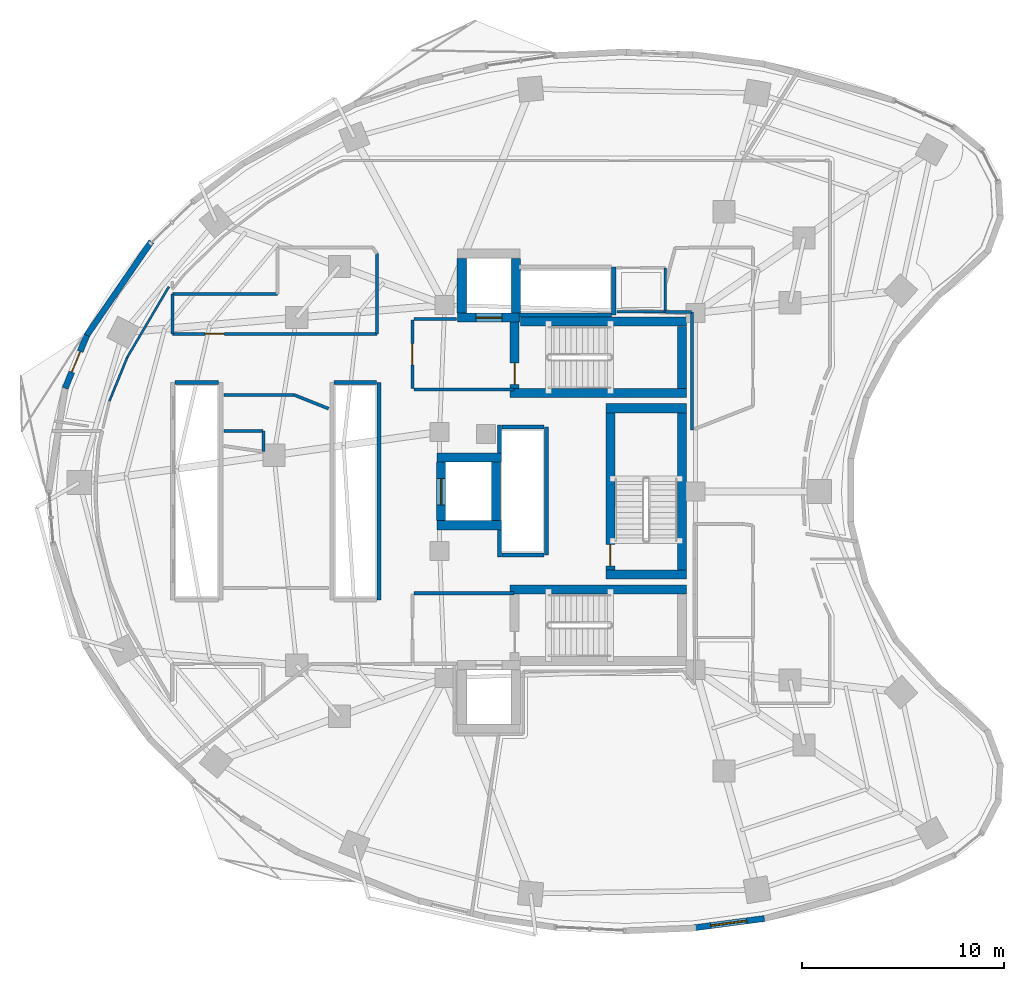
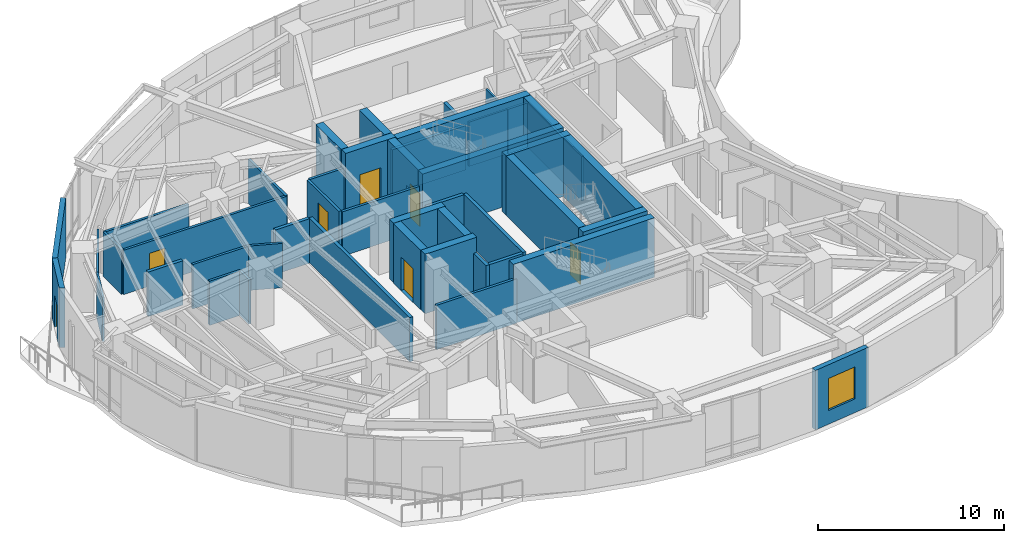
# One storey, part 9 of 14: 47 walls, 7 doors, 1 window, 8 openings.
"""IFC4 building model written with IfcOpenShell, lengths in metres."""

from ifc_helpers import new_model, si_unit, direction, frame, frame_2d, origin, place, context, subcontext, project, spatial, rectangle, extrude, material, layer, layer_set, type_object, element, fill, save


model = new_model("IFC4")

# Units and contexts
model_context = context("Model", 3, precision=1e-05, world=origin(), true_north=direction((0.0, 1.0)))
body_context = subcontext(model_context, "Body", "Model", "MODEL_VIEW")
ifc_project = project(units=[si_unit("LENGTHUNIT", "METRE"), si_unit("AREAUNIT", "SQUARE_METRE"), si_unit("VOLUMEUNIT", "CUBIC_METRE"), si_unit("PLANEANGLEUNIT", "RADIAN"), si_unit("MASSUNIT", "GRAM", prefix="KILO")], contexts=[model_context])

# Site, building, storey
site_placement = place(None, origin())
site = spatial("IfcSite", under=ifc_project, at=site_placement, CompositionType="ELEMENT")
building_placement = place(site_placement, origin())
building = spatial("IfcBuilding", under=site, at=building_placement, Name="Korentha Bioscience Tower", CompositionType="ELEMENT")
storey_placement = place(building_placement, frame((0.0, 0.0, 119.39990234375)))
storey = spatial("IfcBuildingStorey", under=building, at=storey_placement, Name="L27", CompositionType="ELEMENT", Elevation=119.39990234375)

# Wall, opening, door
ifc_material_1 = material(Name="Double-Stud Acoustic Gypsum", Category="gypsum")
ifc_layer_1 = layer(ifc_material_1, 0.14990234375, Name="Double-Stud Acoustic Gypsum")
ifc_layer_set_1 = layer_set([ifc_layer_1], Name="Double-Stud Acoustic Gypsum (IW-L150)")
wall_type_1 = type_object("IfcWallType", Name="Acoustic Laboratory Partition Wall 150", PredefinedType="PARTITIONING", material=ifc_layer_set_1)
wall_1_placement = place(storey_placement, frame((21.739990234375, 34.81005859375, 0.0), z_axis=(0.0, 0.0, 1.0), x_axis=(-1.0, 0.0, 0.0)))
wall_1 = element("IfcWall", 1, at=wall_1_placement, inside=storey, type_object=wall_type_1, Name="L27 Clinical Advisory Boardroom 09 Entrance Wall", PredefinedType="PARTITIONING", context=body_context, shape_type="SweptSolid", body=[
    extrude(rectangle(XDim=10.14990234375, YDim=0.14990234375, at=frame_2d((5.074951171875, 0.0))), origin(), (0.0, 0.0, 1.0), 2.91015625),
])
opening_1_placement = place(wall_1_placement, frame((7.568115234375, 0.0, 0.0)))
opening_1 = element("IfcOpeningElement", 2, at=opening_1_placement, cuts=wall_1, Name="Opening ID-10L", PredefinedType="OPENING", context=body_context, shape_type="SweptSolid", body=[
    extrude(rectangle(XDim=0.949951171875, YDim=2.14990234375, at=frame_2d((0.47509765625, 1.074951171875))), frame((0.0, 0.08984375, 0.0), z_axis=(0.0, -1.0, 0.0), x_axis=(1.0, 0.0, 0.0)), (0.0, 0.0, 1.0), 0.1796875),
])
ifc_material_2 = material(Name="Phenolic Laminate Timber Core", Category="wood")
door_type_1 = type_object("IfcDoorType", Name="Laboratory Single Leaf Door 950x2150 Left", OperationType="SINGLE_SWING_LEFT", PredefinedType="DOOR", material=ifc_material_2)
door_1_placement = place(opening_1_placement, origin())
door_1 = element("IfcDoor", 3, at=door_1_placement, inside=storey, type_object=door_type_1, Name="L27 Clinical Advisory Boardroom 09 Door", OperationType="SINGLE_SWING_LEFT", OverallHeight=2.14990234375, OverallWidth=0.949951171875, PredefinedType="DOOR", context=body_context, shape_type="SweptSolid", body=[
    extrude(rectangle(XDim=0.949951171875, YDim=2.14990234375, at=frame_2d((0.47509765625, 1.074951171875))), frame((0.0, 0.02490234375, 0.0), z_axis=(0.0, -1.0, 0.0), x_axis=(1.0, 0.0, 0.0)), (0.0, 0.0, 1.0), 0.050048828125),
])
fill(opening_1, door_1)

# Walls
wall_2_placement = place(storey_placement, frame((16.10205078125, 28.972900390625, 0.0), z_axis=(0.0, 0.0, 1.0), x_axis=(0.0, 1.0, 0.0)))
element("IfcWall", 4, at=wall_2_placement, inside=storey, type_object=wall_type_1, Name="L27 Interior Partition 014", PredefinedType="PARTITIONING", context=body_context, shape_type="SweptSolid", body=[
    extrude(rectangle(XDim=1.02490234375, YDim=0.14990234375, at=frame_2d((0.512451171875, 0.0))), origin(), (0.0, 0.0, 1.0), 2.91015625),
])
wall_3_placement = place(storey_placement, frame((16.097900390625, 30.001953125, 0.0), z_axis=(0.0, 0.0, 1.0), x_axis=(-1.0, 0.0, 0.0)))
element("IfcWall", 5, at=wall_3_placement, inside=storey, type_object=wall_type_1, Name="L27 Interior Partition 015", PredefinedType="PARTITIONING", context=body_context, shape_type="SweptSolid", body=[
    extrude(rectangle(XDim=1.937744140625, YDim=0.14990234375, at=frame_2d((0.96875, 0.0))), origin(), (0.0, 0.0, 1.0), 2.91015625),
])
wall_4_placement = place(storey_placement, frame((14.159912109375, 31.7900390625, 0.0), z_axis=(0.0, 0.0, 1.0), x_axis=(1.0, 0.0, 0.0)))
element("IfcWall", 6, at=wall_4_placement, inside=storey, type_object=wall_type_1, Name="L27 Interior Partition 016", PredefinedType="PARTITIONING", context=body_context, shape_type="SweptSolid", body=[
    extrude(rectangle(XDim=3.466552734375, YDim=0.14990234375, at=frame_2d((1.7333984375, 0.0))), origin(), (0.0, 0.0, 1.0), 2.91015625),
])
wall_5_placement = place(storey_placement, frame((17.62646484375, 31.7900390625, 0.0), z_axis=(0.0, 0.0, 1.0), x_axis=(0.928485814786, -0.371367865789, 0.0)))
element("IfcWall", 7, at=wall_5_placement, inside=storey, type_object=wall_type_1, Name="L27 Interior Partition 017", PredefinedType="PARTITIONING", context=body_context, shape_type="SweptSolid", body=[
    extrude(rectangle(XDim=1.845458984375, YDim=0.14990234375, at=frame_2d((0.9228515625, 0.0))), origin(), (0.0, 0.0, 1.0), 2.91015625),
])
wall_6_placement = place(storey_placement, frame((37.360107421875, 30.040283203125, 0.0), z_axis=(0.0, 0.0, 1.0), x_axis=(0.0, 1.0, 0.0)))
element("IfcWall", 8, at=wall_6_placement, inside=storey, type_object=wall_type_1, Name="L27 Interior Partition 062", PredefinedType="PARTITIONING", context=body_context, shape_type="SweptSolid", body=[
    extrude(rectangle(XDim=5.859619140625, YDim=0.14990234375, at=frame_2d((2.9296875, 0.0))), origin(), (0.0, 0.0, 1.0), 2.91015625),
])
wall_7_placement = place(storey_placement, frame((37.35009765625, 35.909912109375, 0.0), z_axis=(0.0, 0.0, 1.0), x_axis=(-1.0, 0.0, 0.0)))
element("IfcWall", 9, at=wall_7_placement, inside=storey, type_object=wall_type_1, Name="L27 Interior Partition 063", PredefinedType="PARTITIONING", context=body_context, shape_type="SweptSolid", body=[
    extrude(rectangle(XDim=1.2900390625, YDim=0.14990234375, at=frame_2d((0.64501953125, 0.0))), origin(), (0.0, 0.0, 1.0), 2.91015625),
])
wall_8_placement = place(storey_placement, frame((21.739990234375, 38.79345703125, 0.0), z_axis=(0.0, 0.0, 1.0), x_axis=(0.0, -1.0, 0.0)))
element("IfcWall", 10, at=wall_8_placement, inside=storey, type_object=wall_type_1, Name="L27 Interior Partition 075", PredefinedType="PARTITIONING", context=body_context, shape_type="SweptSolid", body=[
    extrude(rectangle(XDim=3.9833984375, YDim=0.14990234375, at=frame_2d((1.99169921875, 0.0))), origin(), (0.0, 0.0, 1.0), 2.91015625),
])
wall_9_placement = place(storey_placement, frame((11.590087890625, 34.81005859375, 0.0), z_axis=(0.0, 0.0, 1.0), x_axis=(0.0, 1.0, 0.0)))
element("IfcWall", 11, at=wall_9_placement, inside=storey, type_object=wall_type_1, Name="L27 Interior Partition 076", PredefinedType="PARTITIONING", context=body_context, shape_type="SweptSolid", body=[
    extrude(rectangle(XDim=1.97998046875, YDim=0.14990234375, at=frame_2d((0.989990234375, 0.0))), origin(), (0.0, 0.0, 1.0), 2.91015625),
])
wall_10_placement = place(storey_placement, frame((11.590087890625, 36.7900390625, 0.0), z_axis=(0.0, 0.0, 1.0), x_axis=(1.0, 0.0, 0.0)))
element("IfcWall", 12, at=wall_10_placement, inside=storey, type_object=wall_type_1, Name="L27 Interior Partition 077", PredefinedType="PARTITIONING", context=body_context, shape_type="SweptSolid", body=[
    extrude(rectangle(XDim=5.2099609375, YDim=0.14990234375, at=frame_2d((2.60498046875, 0.0))), origin(), (0.0, 0.0, 1.0), 2.91015625),
])
ifc_material_3 = material(Name="Fire-Rated Framed Glass", Category="glass")
ifc_layer_2 = layer(ifc_material_3, 0.110107421875, Name="Fire-Rated Framed Glass")
ifc_layer_set_2 = layer_set([ifc_layer_2], Name="Fire-Rated Framed Glass (IW-G110)")
wall_type_2 = type_object("IfcWallType", Name="Demountable Glazed Office Partition 110", PredefinedType="MOVABLE", material=ifc_layer_set_2)
wall_11_placement = place(storey_placement, frame((11.418701171875, 37.154296875, 0.0), z_axis=(0.0, 0.0, 1.0), x_axis=(-0.508183269016, -0.861248956511, 0.0)))
element("IfcWall", 13, at=wall_11_placement, inside=storey, type_object=wall_type_2, Name="L27 Interior Partition 071", PredefinedType="MOVABLE", context=body_context, shape_type="SweptSolid", body=[
    extrude(rectangle(XDim=4.052734375, YDim=0.110107421875, at=frame_2d((2.0263671875, 0.0))), origin(), (0.0, 0.0, 1.0), 2.91015625),
])
wall_12_placement = place(storey_placement, frame((9.3583984375, 33.66259765625, 0.0), z_axis=(0.0, 0.0, 1.0), x_axis=(-0.378306283753, -0.925680482495, 0.0)))
element("IfcWall", 14, at=wall_12_placement, inside=storey, type_object=wall_type_2, Name="L27 Interior Partition 072", PredefinedType="MOVABLE", context=body_context, shape_type="SweptSolid", body=[
    extrude(rectangle(XDim=2.358154296875, YDim=0.110107421875, at=frame_2d((1.17919921875, 0.0))), origin(), (0.0, 0.0, 1.0), 2.91015625),
])

# Wall, opening, door
ifc_material_4 = material(Name="Gypsum-Clad Steel Stud", Category="steel")
ifc_layer_3 = layer(ifc_material_4, 0.159912109375, Name="Gypsum-Clad Steel Stud")
ifc_layer_set_3 = layer_set([ifc_layer_3], Name="Gypsum-Clad Steel Stud (IW-C160)")
wall_type_3 = type_object("IfcWallType", Name="Fire-Rated Corridor Partition Wall 160", PredefinedType="PARTITIONING", material=ifc_layer_set_3)
wall_13_placement = place(storey_placement, frame((23.5, 32.10009765625, 0.0), z_axis=(0.0, 0.0, 1.0), x_axis=(0.0, 1.0, 0.0)))
wall_13 = element("IfcWall", 15, at=wall_13_placement, inside=storey, type_object=wall_type_3, Name="L27 FFLN-CW Rated Enclosure Wall", PredefinedType="PARTITIONING", context=body_context, shape_type="SweptSolid", body=[
    extrude(rectangle(XDim=3.39990234375, YDim=0.159912109375, at=frame_2d((1.699951171875, 0.0))), origin(), (0.0, 0.0, 1.0), 2.91015625),
])
opening_2_placement = place(wall_13_placement, frame((1.175048828125, 0.0, 0.0)))
opening_2 = element("IfcOpeningElement", 16, at=opening_2_placement, cuts=wall_13, Name="Opening FD-90R", PredefinedType="OPENING", context=body_context, shape_type="SweptSolid", body=[
    extrude(rectangle(XDim=1.050048828125, YDim=2.14990234375, at=frame_2d((0.52490234375, 1.074951171875))), frame((0.0, 0.0947265625, 0.0), z_axis=(0.0, -1.0, 0.0), x_axis=(1.0, 0.0, 0.0)), (0.0, 0.0, 1.0), 0.189697265625),
])
ifc_material_5 = material(Name="Powder-Coated Fire-Rated Steel", Category="steel")
door_type_2 = type_object("IfcDoorType", Name="Stairwell Fire Exit Door 1050x2150 Right", OperationType="SINGLE_SWING_RIGHT", PredefinedType="DOOR", material=ifc_material_5)
door_2_placement = place(opening_2_placement, origin())
door_2 = element("IfcDoor", 17, at=door_2_placement, inside=storey, type_object=door_type_2, Name="L27 North Firefighting Lobby Door", OperationType="SINGLE_SWING_RIGHT", OverallHeight=2.14990234375, OverallWidth=1.050048828125, PredefinedType="DOOR", context=body_context, shape_type="SweptSolid", body=[
    extrude(rectangle(XDim=1.050048828125, YDim=2.14990234375, at=frame_2d((0.52490234375, 1.074951171875))), frame((0.0, 0.02490234375, 0.0), z_axis=(0.0, -1.0, 0.0), x_axis=(1.0, 0.0, 0.0)), (0.0, 0.0, 1.0), 0.050048828125),
])
fill(opening_2, door_2)

# Walls
wall_14_placement = place(storey_placement, frame((23.580078125, 32.050048828125, 0.0), z_axis=(0.0, 0.0, 1.0), x_axis=(1.0, 0.0, 0.0)))
element("IfcWall", 18, at=wall_14_placement, inside=storey, type_object=wall_type_3, Name="L27 Firefighting Lobby Return Wall FFLN-S", PredefinedType="PARTITIONING", context=body_context, shape_type="SweptSolid", body=[
    extrude(rectangle(XDim=4.969970703125, YDim=0.159912109375, at=frame_2d((2.48486328125, 0.0))), origin(), (0.0, 0.0, 1.0), 2.91015625),
])
wall_15_placement = place(storey_placement, frame((23.580078125, 35.550048828125, 0.0), z_axis=(0.0, 0.0, 1.0), x_axis=(1.0, 0.0, 0.0)))
element("IfcWall", 19, at=wall_15_placement, inside=storey, type_object=wall_type_3, Name="L27 Firefighting Lobby Return Wall FFLN-N", PredefinedType="PARTITIONING", context=body_context, shape_type="SweptSolid", body=[
    extrude(rectangle(XDim=2.119873046875, YDim=0.159912109375, at=frame_2d((1.06005859375, 0.0))), origin(), (0.0, 0.0, 1.0), 2.91015625),
])
wall_16_placement = place(storey_placement, frame((23.580078125, 21.949951171875, 0.0), z_axis=(0.0, 0.0, 1.0), x_axis=(1.0, 0.0, 0.0)))
element("IfcWall", 20, at=wall_16_placement, inside=storey, type_object=wall_type_3, Name="L27 Firefighting Lobby Return Wall FFLS-N", PredefinedType="PARTITIONING", context=body_context, shape_type="SweptSolid", body=[
    extrude(rectangle(XDim=4.969970703125, YDim=0.159912109375, at=frame_2d((2.48486328125, 0.0))), origin(), (0.0, 0.0, 1.0), 2.91015625),
])

# Wall, opening, door
ifc_material_6 = material(Name="Honed Limestone Precast Concrete C40", Category="masonry")
ifc_layer_4 = layer(ifc_material_6, 0.300048828125, Name="Honed Limestone Precast Concrete C40")
ifc_layer_set_4 = layer_set([ifc_layer_4], Name="Honed Limestone Precast Concrete C40 (EW-ST300)")
wall_type_4 = type_object("IfcWallType", Name="Honed Limestone Cavity Spandrel Wall 300", PredefinedType="STANDARD", material=ifc_layer_set_4)
wall_17_placement = place(storey_placement, frame((7.346923828125, 34.7412109375, 0.0), z_axis=(0.0, 0.0, 1.0), x_axis=(-0.378328361311, -0.925671459551, 0.0)))
wall_17 = element("IfcWall", 21, at=wall_17_placement, inside=storey, type_object=wall_type_4, Name="L27 Balcony Threshold Wall 02", PredefinedType="STANDARD", context=body_context, shape_type="SweptSolid", body=[
    extrude(rectangle(XDim=2.84130859375, YDim=0.300048828125, at=frame_2d((1.420654296875, 0.0))), origin(), (0.0, 0.0, 1.0), 3.900146484375),
])
opening_3_placement = place(wall_17_placement, frame((0.87060546875, 0.0, 0.0)))
opening_3 = element("IfcOpeningElement", 22, at=opening_3_placement, cuts=wall_17, Name="Opening BD-11R", PredefinedType="OPENING", context=body_context, shape_type="SweptSolid", body=[
    extrude(rectangle(XDim=1.10009765625, YDim=2.14990234375, at=frame_2d((0.550048828125, 1.074951171875))), frame((0.0, 0.1650390625, 0.0), z_axis=(0.0, -1.0, 0.0), x_axis=(1.0, 0.0, 0.0)), (0.0, 0.0, 1.0), 0.329833984375),
])
ifc_material_7 = material(Name="Thermally Broken Glazed Aluminium", Category="aluminium")
door_type_3 = type_object("IfcDoorType", Name="Balcony Terrace Glazed Door 1100x2150 Right", OperationType="SINGLE_SWING_RIGHT", PredefinedType="DOOR", material=ifc_material_7)
door_3_placement = place(opening_3_placement, origin())
door_3 = element("IfcDoor", 23, at=door_3_placement, inside=storey, type_object=door_type_3, Name="L27 Balcony Access Door 02", OperationType="SINGLE_SWING_RIGHT", OverallHeight=2.14990234375, OverallWidth=1.10009765625, PredefinedType="DOOR", context=body_context, shape_type="SweptSolid", body=[
    extrude(rectangle(XDim=1.10009765625, YDim=2.14990234375, at=frame_2d((0.550048828125, 1.074951171875))), frame((0.0, 0.02490234375, 0.0), z_axis=(0.0, -1.0, 0.0), x_axis=(1.0, 0.0, 0.0)), (0.0, 0.0, 1.0), 0.050048828125),
])
fill(opening_3, door_3)

# Wall, opening, window
wall_18_placement = place(storey_placement, frame((37.41943359375, 5.34130859375, 0.0), z_axis=(0.0, 0.0, 1.0), x_axis=(0.991369257822, 0.131099178664, 0.0)))
wall_18 = element("IfcWall", 24, at=wall_18_placement, inside=storey, type_object=wall_type_4, Name="L27 Honed Limestone Spandrel Wall 33", PredefinedType="STANDARD", context=body_context, shape_type="SweptSolid", body=[
    extrude(rectangle(XDim=3.575439453125, YDim=0.300048828125, at=frame_2d((1.78759765625, 0.0))), origin(), (0.0, 0.0, 1.0), 3.900146484375),
])
opening_4_placement = place(wall_18_placement, frame((0.8876953125, 0.0, 0.89990234375)))
opening_4 = element("IfcOpeningElement", 25, at=opening_4_placement, cuts=wall_18, Name="Opening WN-01", PredefinedType="OPENING", context=body_context, shape_type="SweptSolid", body=[
    extrude(rectangle(XDim=1.800048828125, YDim=2.10009765625, at=frame_2d((0.89990234375, 1.050048828125))), frame((0.0, 0.1650390625, 0.0), z_axis=(0.0, -1.0, 0.0), x_axis=(1.0, 0.0, 0.0)), (0.0, 0.0, 1.0), 0.329833984375),
])
ifc_material_8 = material(Name="Thermally Broken Aluminium Triple Glazing", Category="aluminium")
window_type = type_object("IfcWindowType", Name="Triple-Glazed Fixed Bioscience Window 1800x2100", PartitioningType="SINGLE_PANEL", PredefinedType="WINDOW", material=ifc_material_8)
window_placement = place(opening_4_placement, origin())
window = element("IfcWindow", 26, at=window_placement, inside=storey, type_object=window_type, Name="L27 Facade Window 33", OverallHeight=2.10009765625, OverallWidth=1.800048828125, PartitioningType="SINGLE_PANEL", PredefinedType="WINDOW", context=body_context, shape_type="SweptSolid", body=[
    extrude(rectangle(XDim=1.800048828125, YDim=2.10009765625, at=frame_2d((0.89990234375, 1.050048828125))), frame((0.0, 0.030029296875, 0.0), z_axis=(0.0, -1.0, 0.0), x_axis=(1.0, 0.0, 0.0)), (0.0, 0.0, 1.0), 0.06005859375),
])
fill(opening_4, window)

# Walls
wall_19_placement = place(storey_placement, frame((10.54833984375, 39.400390625, 0.0), z_axis=(0.0, 0.0, 1.0), x_axis=(-0.566825798999, -0.823837674296, 0.0)))
element("IfcWall", 27, at=wall_19_placement, inside=storey, type_object=wall_type_4, Name="L27 Limestone Perimeter Closure Wall 14", PredefinedType="STANDARD", context=body_context, shape_type="SweptSolid", body=[
    extrude(rectangle(XDim=5.825927734375, YDim=0.300048828125, at=frame_2d((2.9130859375, 0.0))), origin(), (0.0, 0.0, 1.0), 3.900146484375),
])
ifc_material_9 = material(Name="Autoclaved Aerated Concrete Block C25", Category="concrete")
ifc_layer_5 = layer(ifc_material_9, 0.199951171875, Name="Autoclaved Aerated Concrete Block C25")
ifc_layer_set_5 = layer_set([ifc_layer_5], Name="Autoclaved Aerated Concrete Block C25 (IW-S200)")
wall_type_5 = type_object("IfcWallType", Name="Lift and Riser Shaft Enclosure Wall 200", PredefinedType="PARTITIONING", material=ifc_layer_set_5)
wall_20_placement = place(storey_placement, frame((11.719970703125, 32.39990234375, 0.0), z_axis=(0.0, 0.0, 1.0), x_axis=(1.0, 0.0, 0.0)))
element("IfcWall", 28, at=wall_20_placement, inside=storey, type_object=wall_type_5, Name="L27 Lift Bank LOW Shaft Wall +Y", PredefinedType="PARTITIONING", context=body_context, shape_type="SweptSolid", body=[
    extrude(rectangle(XDim=2.159912109375, YDim=0.199951171875, at=frame_2d((1.080078125, 0.0))), origin(), (0.0, 0.0, 1.0), 2.91015625),
])
wall_21_placement = place(storey_placement, frame((21.85009765625, 21.60009765625, 0.0), z_axis=(0.0, 0.0, 1.0), x_axis=(0.0, 1.0, 0.0)))
element("IfcWall", 29, at=wall_21_placement, inside=storey, type_object=wall_type_5, Name="L27 Lift Bank MID Shaft Wall +X", PredefinedType="PARTITIONING", context=body_context, shape_type="SweptSolid", body=[
    extrude(rectangle(XDim=10.7998046875, YDim=0.199951171875, at=frame_2d((5.39990234375, 0.0))), origin(), (0.0, 0.0, 1.0), 2.91015625),
])
wall_22_placement = place(storey_placement, frame((19.6201171875, 32.39990234375, 0.0), z_axis=(0.0, 0.0, 1.0), x_axis=(1.0, 0.0, 0.0)))
element("IfcWall", 30, at=wall_22_placement, inside=storey, type_object=wall_type_5, Name="L27 Lift Bank MID Shaft Wall +Y", PredefinedType="PARTITIONING", context=body_context, shape_type="SweptSolid", body=[
    extrude(rectangle(XDim=2.10986328125, YDim=0.199951171875, at=frame_2d((1.054931640625, 0.0))), origin(), (0.0, 0.0, 1.0), 2.91015625),
])
wall_23_placement = place(storey_placement, frame((27.830078125, 23.75, 0.0), z_axis=(0.0, 0.0, 1.0), x_axis=(0.0, 1.0, 0.0)))
element("IfcWall", 31, at=wall_23_placement, inside=storey, type_object=wall_type_5, Name="L27 Lift Bank HIGH Shaft Wall -XS", PredefinedType="PARTITIONING", context=body_context, shape_type="SweptSolid", body=[
    extrude(rectangle(XDim=1.341064453125, YDim=0.199951171875, at=frame_2d((0.67041015625, 0.0))), origin(), (0.0, 0.0, 1.0), 2.91015625),
])
wall_24_placement = place(storey_placement, frame((27.830078125, 28.908935546875, 0.0), z_axis=(0.0, 0.0, 1.0), x_axis=(0.0, 1.0, 0.0)))
element("IfcWall", 32, at=wall_24_placement, inside=storey, type_object=wall_type_5, Name="L27 Lift Bank HIGH Shaft Wall -XN", PredefinedType="PARTITIONING", context=body_context, shape_type="SweptSolid", body=[
    extrude(rectangle(XDim=1.39111328125, YDim=0.199951171875, at=frame_2d((0.695556640625, 0.0))), origin(), (0.0, 0.0, 1.0), 2.91015625),
])
wall_25_placement = place(storey_placement, frame((30.14990234375, 23.85009765625, 0.0), z_axis=(0.0, 0.0, 1.0), x_axis=(0.0, 1.0, 0.0)))
element("IfcWall", 33, at=wall_25_placement, inside=storey, type_object=wall_type_5, Name="L27 Lift Bank HIGH Shaft Wall +X", PredefinedType="PARTITIONING", context=body_context, shape_type="SweptSolid", body=[
    extrude(rectangle(XDim=6.349853515625, YDim=0.199951171875, at=frame_2d((3.1748046875, 0.0))), origin(), (0.0, 0.0, 1.0), 2.91015625),
])
for number, where, z_axis, x_axis, name in (
    (34, (27.93408203125, 23.85009765625, 0.0), (0.0, 0.0, 1.0), (1.0, 0.0, 0.0), "L27 Lift Bank HIGH Shaft Wall -Y"),
    (35, (27.93408203125, 30.199951171875, 0.0), (0.0, 0.0, 1.0), (1.0, 0.0, 0.0), "L27 Lift Bank HIGH Shaft Wall +Y"),
):
    element("IfcWall", number, at=place(storey_placement, frame(where, z_axis=z_axis, x_axis=x_axis)), inside=storey, type_object=wall_type_5, Name=name, PredefinedType="PARTITIONING", context=body_context, shape_type="SweptSolid", body=[
        extrude(rectangle(XDim=2.095947265625, YDim=0.199951171875, at=frame_2d((1.0478515625, 0.0))), origin(), (0.0, 0.0, 1.0), 2.91015625),
    ])
wall_26_placement = place(storey_placement, frame((33.489990234375, 35.760009765625, 0.0), z_axis=(0.0, 0.0, 1.0), x_axis=(0.0, 1.0, 0.0)))
element("IfcWall", 36, at=wall_26_placement, inside=storey, type_object=wall_type_5, Name="L27 Lift Bank OBS Shaft Wall +X", PredefinedType="PARTITIONING", context=body_context, shape_type="SweptSolid", body=[
    extrude(rectangle(XDim=2.3798828125, YDim=0.199951171875, at=frame_2d((1.18994140625, 0.0))), origin(), (0.0, 0.0, 1.0), 2.91015625),
])
wall_27_placement = place(storey_placement, frame((28.800048828125, 35.760009765625, 0.0), z_axis=(0.0, 0.0, 1.0), x_axis=(1.0, 0.0, 0.0)))
element("IfcWall", 37, at=wall_27_placement, inside=storey, type_object=wall_type_5, Name="L27 Lift Bank OBS Shaft Wall -Y", PredefinedType="PARTITIONING", context=body_context, shape_type="SweptSolid", body=[
    extrude(rectangle(XDim=4.570068359375, YDim=0.199951171875, at=frame_2d((2.28515625, 0.0))), origin(), (0.0, 0.0, 1.0), 2.91015625),
])
ifc_material_10 = material(Name="Concrete C80", Category="concrete")
ifc_layer_6 = layer(ifc_material_10, 0.449951171875, Name="Concrete C80")
ifc_layer_set_6 = layer_set([ifc_layer_6], Name="Concrete C80 (CW-C80)")
wall_type_6 = type_object("IfcWallType", Name="Lower Core Shear Wall 450", PredefinedType="SHEAR", material=ifc_layer_set_6)
wall_28_placement = place(storey_placement, frame((28.85205078125, 35.425048828125, 0.0), z_axis=(0.0, 0.0, 1.0), x_axis=(1.0, 0.0, 0.0)))
element("IfcWall", 38, at=wall_28_placement, inside=storey, type_object=wall_type_6, Name="L27 Core Shear Wall ST1-N", PredefinedType="SHEAR", context=body_context, shape_type="SweptSolid", body=[
    extrude(rectangle(XDim=8.248046875, YDim=0.449951171875, at=frame_2d((4.1240234375, 0.0))), origin(), (0.0, 0.0, 1.0), 3.900146484375),
])
wall_29_placement = place(storey_placement, frame((28.35009765625, 31.875, 0.0), z_axis=(0.0, 0.0, 1.0), x_axis=(1.0, 0.0, 0.0)))
element("IfcWall", 39, at=wall_29_placement, inside=storey, type_object=wall_type_6, Name="L27 Core Shear Wall ST1-S", PredefinedType="SHEAR", context=body_context, shape_type="SweptSolid", body=[
    extrude(rectangle(XDim=8.75, YDim=0.449951171875, at=frame_2d((4.375, 0.0))), origin(), (0.0, 0.0, 1.0), 3.900146484375),
])
wall_30_placement = place(storey_placement, frame((36.875, 32.110107421875, 0.0), z_axis=(0.0, 0.0, 1.0), x_axis=(0.0, 1.0, 0.0)))
element("IfcWall", 40, at=wall_30_placement, inside=storey, type_object=wall_type_6, Name="L27 Core Shear Wall ST1-E", PredefinedType="SHEAR", context=body_context, shape_type="SweptSolid", body=[
    extrude(rectangle(XDim=3.079833984375, YDim=0.449951171875, at=frame_2d((1.5400390625, 0.0))), origin(), (0.0, 0.0, 1.0), 3.900146484375),
])

# Wall, opening, door
wall_31_placement = place(storey_placement, frame((28.574951171875, 32.110107421875, 0.0), z_axis=(0.0, 0.0, 1.0), x_axis=(0.0, 1.0, 0.0)))
wall_31 = element("IfcWall", 41, at=wall_31_placement, inside=storey, type_object=wall_type_6, Name="L27 Core Shear Wall ST1-W", PredefinedType="SHEAR", context=body_context, shape_type="SweptSolid", body=[
    extrude(rectangle(XDim=3.282958984375, YDim=0.449951171875, at=frame_2d((1.6416015625, 0.0))), origin(), (0.0, 0.0, 1.0), 3.900146484375),
])
opening_5_placement = place(wall_31_placement, frame((0.199951171875, 0.0, 0.0)))
opening_5 = element("IfcOpeningElement", 42, at=opening_5_placement, cuts=wall_31, Name="Opening FD-90R", PredefinedType="OPENING", context=body_context, shape_type="SweptSolid", body=[
    extrude(rectangle(XDim=1.050048828125, YDim=2.14990234375, at=frame_2d((0.52490234375, 1.074951171875))), frame((0.0, 0.23974609375, 0.0), z_axis=(0.0, -1.0, 0.0), x_axis=(1.0, 0.0, 0.0)), (0.0, 0.0, 1.0), 0.479736328125),
])
door_4_placement = place(opening_5_placement, origin())
door_4 = element("IfcDoor", 43, at=door_4_placement, inside=storey, type_object=door_type_2, Name="L27 ST-1 Fire Exit Stair Door", OperationType="SINGLE_SWING_RIGHT", OverallHeight=2.14990234375, OverallWidth=1.050048828125, PredefinedType="DOOR", context=body_context, shape_type="SweptSolid", body=[
    extrude(rectangle(XDim=1.050048828125, YDim=2.14990234375, at=frame_2d((0.52490234375, 1.074951171875))), frame((0.0, 0.02490234375, 0.0), z_axis=(0.0, -1.0, 0.0), x_axis=(1.0, 0.0, 0.0)), (0.0, 0.0, 1.0), 0.050048828125),
])
fill(opening_5, door_4)

# Walls
wall_32_placement = place(storey_placement, frame((28.35009765625, 22.125, 0.0), z_axis=(0.0, 0.0, 1.0), x_axis=(1.0, 0.0, 0.0)))
element("IfcWall", 44, at=wall_32_placement, inside=storey, type_object=wall_type_6, Name="L27 Core Shear Wall ST2-N", PredefinedType="SHEAR", context=body_context, shape_type="SweptSolid", body=[
    extrude(rectangle(XDim=8.75, YDim=0.449951171875, at=frame_2d((4.375, 0.0))), origin(), (0.0, 0.0, 1.0), 3.900146484375),
])
for number, where, z_axis, x_axis, name in (
    (45, (33.10009765625, 31.125, 0.0), (0.0, 0.0, 1.0), (1.0, 0.0, 0.0), "L27 Core Shear Wall ST3-N"),
    (46, (33.10009765625, 22.875, 0.0), (0.0, 0.0, 1.0), (1.0, 0.0, 0.0), "L27 Core Shear Wall ST3-S"),
):
    element("IfcWall", number, at=place(storey_placement, frame(where, z_axis=z_axis, x_axis=x_axis)), inside=storey, type_object=wall_type_6, Name=name, PredefinedType="SHEAR", context=body_context, shape_type="SweptSolid", body=[
        extrude(rectangle(XDim=4.0, YDim=0.449951171875, at=frame_2d((2.0, 0.0))), origin(), (0.0, 0.0, 1.0), 3.900146484375),
    ])
wall_33_placement = place(storey_placement, frame((36.875, 23.110107421875, 0.0), z_axis=(0.0, 0.0, 1.0), x_axis=(0.0, 1.0, 0.0)))
element("IfcWall", 47, at=wall_33_placement, inside=storey, type_object=wall_type_6, Name="L27 Core Shear Wall ST3-E", PredefinedType="SHEAR", context=body_context, shape_type="SweptSolid", body=[
    extrude(rectangle(XDim=7.77978515625, YDim=0.449951171875, at=frame_2d((3.889892578125, 0.0))), origin(), (0.0, 0.0, 1.0), 3.900146484375),
])

# Wall, opening, door
wall_34_placement = place(storey_placement, frame((33.324951171875, 23.110107421875, 0.0), z_axis=(0.0, 0.0, 1.0), x_axis=(0.0, 1.0, 0.0)))
wall_34 = element("IfcWall", 48, at=wall_34_placement, inside=storey, type_object=wall_type_6, Name="L27 Core Shear Wall ST3-W", PredefinedType="SHEAR", context=body_context, shape_type="SweptSolid", body=[
    extrude(rectangle(XDim=7.77978515625, YDim=0.449951171875, at=frame_2d((3.889892578125, 0.0))), origin(), (0.0, 0.0, 1.0), 3.900146484375),
])
opening_6_placement = place(wall_34_placement, frame((0.199951171875, 0.0, 0.0)))
opening_6 = element("IfcOpeningElement", 49, at=opening_6_placement, cuts=wall_34, Name="Opening FD-90R", PredefinedType="OPENING", context=body_context, shape_type="SweptSolid", body=[
    extrude(rectangle(XDim=1.050048828125, YDim=2.14990234375, at=frame_2d((0.52490234375, 1.074951171875))), frame((0.0, 0.23974609375, 0.0), z_axis=(0.0, -1.0, 0.0), x_axis=(1.0, 0.0, 0.0)), (0.0, 0.0, 1.0), 0.479736328125),
])
door_5_placement = place(opening_6_placement, origin())
door_5 = element("IfcDoor", 50, at=door_5_placement, inside=storey, type_object=door_type_2, Name="L27 ST-3 Fire Exit Stair Door", OperationType="SINGLE_SWING_RIGHT", OverallHeight=2.14990234375, OverallWidth=1.050048828125, PredefinedType="DOOR", context=body_context, shape_type="SweptSolid", body=[
    extrude(rectangle(XDim=1.050048828125, YDim=2.14990234375, at=frame_2d((0.52490234375, 1.074951171875))), frame((0.0, 0.02490234375, 0.0), z_axis=(0.0, -1.0, 0.0), x_axis=(1.0, 0.0, 0.0)), (0.0, 0.0, 1.0), 0.050048828125),
])
fill(opening_6, door_5)

wall_35_placement = place(storey_placement, frame((25.75, 35.6201171875, 0.0), z_axis=(0.0, 0.0, 1.0), x_axis=(1.0, 0.0, 0.0)))
wall_35 = element("IfcWall", 51, at=wall_35_placement, inside=storey, type_object=wall_type_6, Name="L27 Core Shear Wall FFL2-S", PredefinedType="SHEAR", context=body_context, shape_type="SweptSolid", body=[
    extrude(rectangle(XDim=3.10009765625, YDim=0.449951171875, at=frame_2d((1.550048828125, 0.0))), origin(), (0.0, 0.0, 1.0), 3.900146484375),
])
opening_7_placement = place(wall_35_placement, frame((0.89990234375, 0.0, 0.0)))
opening_7 = element("IfcOpeningElement", 52, at=opening_7_placement, cuts=wall_35, Name="Opening LD-13", PredefinedType="OPENING", context=body_context, shape_type="SweptSolid", body=[
    extrude(rectangle(XDim=1.300048828125, YDim=2.199951171875, at=frame_2d((0.64990234375, 1.10009765625))), frame((0.0, 0.23974609375, 0.0), z_axis=(0.0, -1.0, 0.0), x_axis=(1.0, 0.0, 0.0)), (0.0, 0.0, 1.0), 0.479736328125),
])
ifc_material_11 = material(Name="Brushed Stainless Steel 316", Category="steel")
door_type_4 = type_object("IfcDoorType", Name="Service & Firefighting Lift Landing Door 1300x2300", OperationType="DOUBLE_DOOR_SLIDING", PredefinedType="DOOR", material=ifc_material_11)
door_6_placement = place(opening_7_placement, origin())
door_6 = element("IfcDoor", 53, at=door_6_placement, inside=storey, type_object=door_type_4, Name="L27 FFL-2 Sliding Lift Landing Door", OperationType="DOUBLE_DOOR_SLIDING", OverallHeight=2.199951171875, OverallWidth=1.300048828125, PredefinedType="DOOR", context=body_context, shape_type="SweptSolid", body=[
    extrude(rectangle(XDim=1.300048828125, YDim=2.199951171875, at=frame_2d((0.64990234375, 1.10009765625))), frame((0.0, 0.02490234375, 0.0), z_axis=(0.0, -1.0, 0.0), x_axis=(1.0, 0.0, 0.0)), (0.0, 0.0, 1.0), 0.050048828125),
])
fill(opening_7, door_6)

# Walls
for number, where, z_axis, x_axis, name in (
    (54, (25.949951171875, 35.860107421875, 0.0), (0.0, 0.0, 1.0), (0.0, 1.0, 0.0), "L27 Core Shear Wall FFL2-W"),
    (55, (28.64990234375, 35.860107421875, 0.0), (0.0, 0.0, 1.0), (0.0, 1.0, 0.0), "L27 Core Shear Wall FFL2-E"),
):
    element("IfcWall", number, at=place(storey_placement, frame(where, z_axis=z_axis, x_axis=x_axis)), inside=storey, type_object=wall_type_6, Name=name, PredefinedType="SHEAR", context=body_context, shape_type="SweptSolid", body=[
        extrude(rectangle(XDim=2.699951171875, YDim=0.449951171875, at=frame_2d((1.35009765625, 0.0))), origin(), (0.0, 0.0, 1.0), 3.900146484375),
    ])
for number, where, z_axis, x_axis, name in (
    (56, (24.719970703125, 28.679931640625, 0.0), (0.0, 0.0, 1.0), (1.0, 0.0, 0.0), "L27 Core Shear Wall SVL1-N"),
    (57, (24.719970703125, 25.320068359375, 0.0), (0.0, 0.0, 1.0), (1.0, 0.0, 0.0), "L27 Core Shear Wall SVL1-S"),
):
    element("IfcWall", number, at=place(storey_placement, frame(where, z_axis=z_axis, x_axis=x_axis)), inside=storey, type_object=wall_type_6, Name=name, PredefinedType="SHEAR", context=body_context, shape_type="SweptSolid", body=[
        extrude(rectangle(XDim=3.2099609375, YDim=0.449951171875, at=frame_2d((1.60498046875, 0.0))), origin(), (0.0, 0.0, 1.0), 3.900146484375),
    ])

# Wall, opening, door
wall_36_placement = place(storey_placement, frame((24.919921875, 25.547119140625, 0.0), z_axis=(0.0, 0.0, 1.0), x_axis=(0.0, 1.0, 0.0)))
wall_36 = element("IfcWall", 58, at=wall_36_placement, inside=storey, type_object=wall_type_6, Name="L27 Core Shear Wall SVL1-W", PredefinedType="SHEAR", context=body_context, shape_type="SweptSolid", body=[
    extrude(rectangle(XDim=2.90576171875, YDim=0.449951171875, at=frame_2d((1.452880859375, 0.0))), origin(), (0.0, 0.0, 1.0), 3.900146484375),
])
opening_8_placement = place(wall_36_placement, frame((0.7900390625, 0.0, 0.0)))
opening_8 = element("IfcOpeningElement", 59, at=opening_8_placement, cuts=wall_36, Name="Opening LD-13", PredefinedType="OPENING", context=body_context, shape_type="SweptSolid", body=[
    extrude(rectangle(XDim=1.300048828125, YDim=2.199951171875, at=frame_2d((0.64990234375, 1.10009765625))), frame((0.0, 0.23974609375, 0.0), z_axis=(0.0, -1.0, 0.0), x_axis=(1.0, 0.0, 0.0)), (0.0, 0.0, 1.0), 0.479736328125),
])
door_7_placement = place(opening_8_placement, origin())
door_7 = element("IfcDoor", 60, at=door_7_placement, inside=storey, type_object=door_type_4, Name="L27 SVL-1 Sliding Lift Landing Door", OperationType="DOUBLE_DOOR_SLIDING", OverallHeight=2.199951171875, OverallWidth=1.300048828125, PredefinedType="DOOR", context=body_context, shape_type="SweptSolid", body=[
    extrude(rectangle(XDim=1.300048828125, YDim=2.199951171875, at=frame_2d((0.64990234375, 1.10009765625))), frame((0.0, 0.02490234375, 0.0), z_axis=(0.0, -1.0, 0.0), x_axis=(1.0, 0.0, 0.0)), (0.0, 0.0, 1.0), 0.050048828125),
])
fill(opening_8, door_7)

# Walls
wall_37_placement = place(storey_placement, frame((27.64990234375, 25.547119140625, 0.0), z_axis=(0.0, 0.0, 1.0), x_axis=(0.0, 1.0, 0.0)))
element("IfcWall", 61, at=wall_37_placement, inside=storey, type_object=wall_type_6, Name="L27 Core Shear Wall SVL1-E", PredefinedType="SHEAR", context=body_context, shape_type="SweptSolid", body=[
    extrude(rectangle(XDim=2.90576171875, YDim=0.449951171875, at=frame_2d((1.452880859375, 0.0))), origin(), (0.0, 0.0, 1.0), 3.900146484375),
])
ifc_material_12 = material(Name="Cement-Board Steel Stud", Category="steel")
ifc_layer_7 = layer(ifc_material_12, 0.1298828125, Name="Cement-Board Steel Stud")
ifc_layer_set_7 = layer_set([ifc_layer_7], Name="Cement-Board Steel Stud (IW-W130)")
wall_type_7 = type_object("IfcWallType", Name="Wet-Area Moisture-Resistant Partition 130", PredefinedType="PARTITIONING", material=ifc_layer_set_7)
wall_38_placement = place(storey_placement, frame((36.050048828125, 35.909912109375, 0.0), z_axis=(0.0, 0.0, 1.0), x_axis=(-1.0, 0.0, 0.0)))
element("IfcWall", 62, at=wall_38_placement, inside=storey, type_object=wall_type_7, Name="L27 Interior Partition 011", PredefinedType="PARTITIONING", context=body_context, shape_type="SweptSolid", body=[
    extrude(rectangle(XDim=2.400146484375, YDim=0.1298828125, at=frame_2d((1.2001953125, 0.0))), origin(), (0.0, 0.0, 1.0), 2.91015625),
])
wall_39_placement = place(storey_placement, frame((36.050048828125, 38.090087890625, 0.0), z_axis=(0.0, 0.0, 1.0), x_axis=(0.0, -1.0, 0.0)))
element("IfcWall", 63, at=wall_39_placement, inside=storey, type_object=wall_type_7, Name="L27 Interior Partition 012", PredefinedType="PARTITIONING", context=body_context, shape_type="SweptSolid", body=[
    extrude(rectangle(XDim=2.18017578125, YDim=0.1298828125, at=frame_2d((1.090087890625, 0.0))), origin(), (0.0, 0.0, 1.0), 2.91015625),
])

save(model, "model.ifc")
